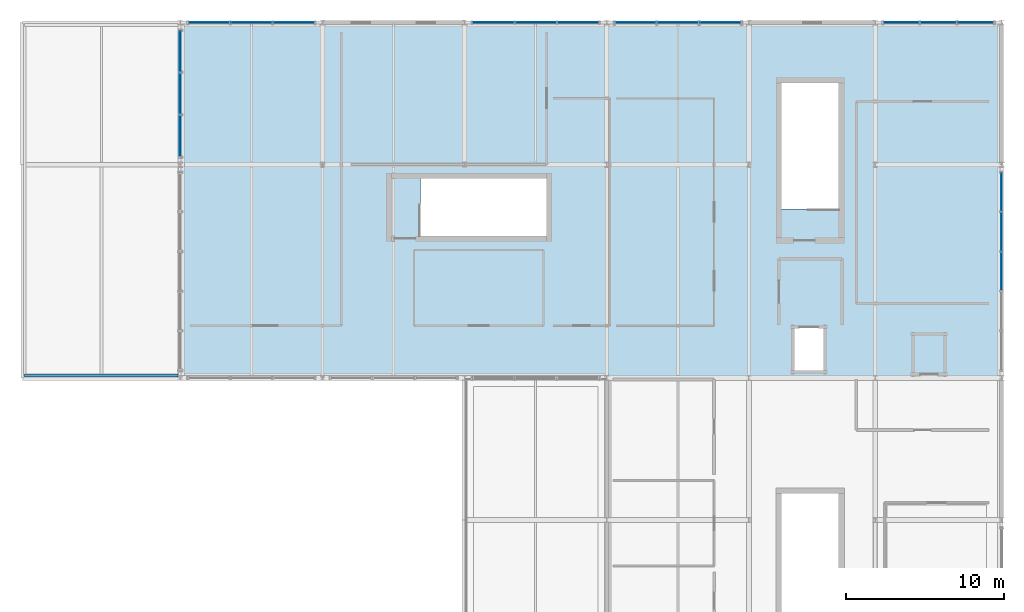
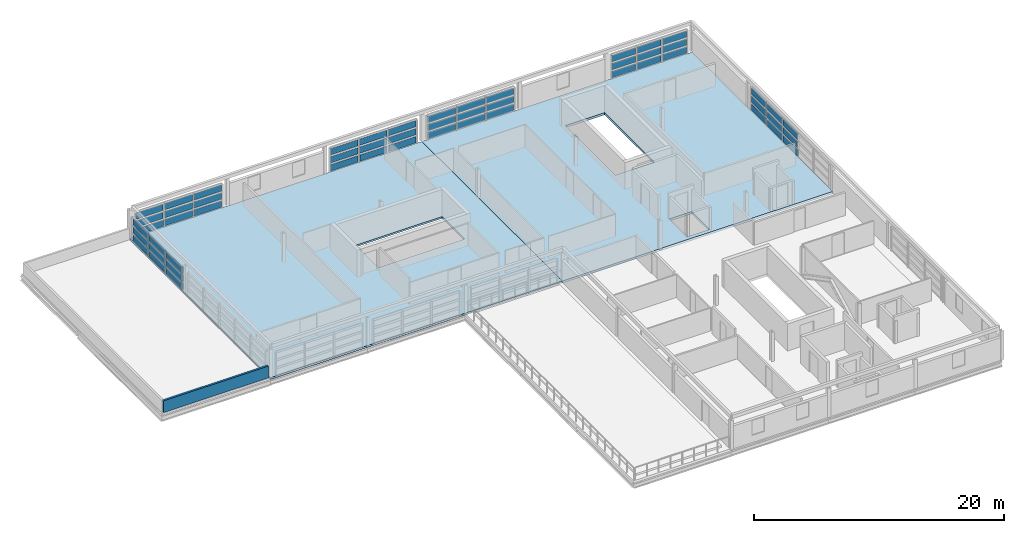
# One storey, part 23 of 27: 54 plates, 2 slabs, 1 wall, 6 elements without a shape of their own.
"""IFC4 building model written with IfcOpenShell, lengths in metres."""

from ifc_helpers import new_model, si_unit, direction, frame, frame_2d, origin, origin_2d, place, context, subcontext, project, spatial, polyline, rectangle, outline, extrude, material, layer, layer_set, type_object, element, aggregate, save


model = new_model("IFC4")

# Units and contexts
model_context = context("Model", 3, precision=1e-05, world=origin(), true_north=direction((0.0, 1.0)))
body_context = subcontext(model_context, "Body", "Model", "MODEL_VIEW")
ifc_project = project(units=[si_unit("LENGTHUNIT", "METRE"), si_unit("AREAUNIT", "SQUARE_METRE"), si_unit("VOLUMEUNIT", "CUBIC_METRE"), si_unit("PLANEANGLEUNIT", "RADIAN"), si_unit("MASSUNIT", "GRAM", prefix="KILO")], contexts=[model_context])

# Site, building, storey
site_placement = place(None, origin())
site = spatial("IfcSite", under=ifc_project, at=site_placement, CompositionType="ELEMENT")
building_placement = place(site_placement, origin())
building = spatial("IfcBuilding", under=site, at=building_placement, Name="Chuanluo Vaults Station", CompositionType="ELEMENT")
storey_placement = place(building_placement, frame((0.0, 0.0, 20.800048828125)))
storey = spatial("IfcBuildingStorey", under=building, at=storey_placement, Name="L05", CompositionType="ELEMENT", Elevation=20.800048828125)

# Curtain wall, plates
ifc_material_1 = material(Name="Anodised aluminium 6063-T6", Category="aluminium")
curtain_wall_type_1 = type_object("IfcCurtainWallType", Name="CW-SYS-27", PredefinedType="NOTDEFINED", material=ifc_material_1)
curtain_wall_1_placement = place(storey_placement, origin())
curtain_wall_1 = element("IfcCurtainWall", 1, at=curtain_wall_1_placement, inside=storey, type_object=curtain_wall_type_1, Name="Operations L05 facade CW", PredefinedType="NOTDEFINED")
ifc_material_2 = material(Name="Ceramic-fritted spandrel glass", Category="glass")
ifc_layer_1 = layer(ifc_material_2, 0.06396484375)
ifc_layer_set_1 = layer_set([ifc_layer_1], Name="Ceramic-fritted spandrel glass")
plate_type_1 = type_object("IfcPlateType", Name="CWP-SPN-42", PredefinedType="SHEET", material=ifc_layer_set_1)
plate_1_placement = place(storey_placement, frame((137.816650390625, 126.0, 0.080078125), z_axis=(0.0, 0.0, 1.0), x_axis=(1.0, 0.0, 0.0)))
plate_1 = element("IfcPlate", 2, at=plate_1_placement, type_object=plate_type_1, Name="Operations L05 facade CW glazed panel 1.1", PredefinedType="SHEET", context=body_context, shape_type="SweptSolid", body=[
    extrude(rectangle(XDim=2.523193359375, YDim=0.06396484375, at=origin_2d()), origin(), (0.0, 0.0, 1.0), 0.623291015625),
])
plate_2_placement = place(storey_placement, frame((140.5, 126.0, 0.080078125), z_axis=(0.0, 0.0, 1.0), x_axis=(1.0, 0.0, 0.0)))
plate_2 = element("IfcPlate", 3, at=plate_2_placement, type_object=plate_type_1, Name="Operations L05 facade CW glazed panel 2.1", PredefinedType="SHEET", context=body_context, shape_type="SweptSolid", body=[
    extrude(rectangle(XDim=2.523193359375, YDim=0.06396484375, at=origin_2d()), origin(), (0.0, 0.0, 1.0), 0.623291015625),
])
plate_3_placement = place(storey_placement, frame((143.183349609375, 126.0, 0.080078125), z_axis=(0.0, 0.0, 1.0), x_axis=(1.0, 0.0, 0.0)))
plate_3 = element("IfcPlate", 4, at=plate_3_placement, type_object=plate_type_1, Name="Operations L05 facade CW glazed panel 3.1", PredefinedType="SHEET", context=body_context, shape_type="SweptSolid", body=[
    extrude(rectangle(XDim=2.523193359375, YDim=0.06396484375, at=origin_2d()), origin(), (0.0, 0.0, 1.0), 0.623291015625),
])

ifc_material_3 = material(Name="Anodised aluminium 6063-T6", Category="aluminium")
curtain_wall_type_2 = type_object("IfcCurtainWallType", Name="CW-SYS-01", PredefinedType="NOTDEFINED", material=ifc_material_3)
curtain_wall_2_placement = place(storey_placement, origin())
curtain_wall_2 = element("IfcCurtainWall", 5, at=curtain_wall_2_placement, inside=storey, type_object=curtain_wall_type_2, Name="Operations L05 facade CW", PredefinedType="NOTDEFINED")
plate_4_placement = place(storey_placement, frame((164.816650390625, 126.0, 0.080078125), z_axis=(0.0, 0.0, 1.0), x_axis=(1.0, 0.0, 0.0)))
plate_4 = element("IfcPlate", 6, at=plate_4_placement, type_object=plate_type_1, Name="Operations L05 facade CW glazed panel 1.1", PredefinedType="SHEET", context=body_context, shape_type="SweptSolid", body=[
    extrude(rectangle(XDim=2.523193359375, YDim=0.06396484375, at=origin_2d()), origin(), (0.0, 0.0, 1.0), 0.623291015625),
])
plate_5_placement = place(storey_placement, frame((167.5, 126.0, 0.080078125), z_axis=(0.0, 0.0, 1.0), x_axis=(1.0, 0.0, 0.0)))
plate_5 = element("IfcPlate", 7, at=plate_5_placement, type_object=plate_type_1, Name="Operations L05 facade CW glazed panel 2.1", PredefinedType="SHEET", context=body_context, shape_type="SweptSolid", body=[
    extrude(rectangle(XDim=2.523193359375, YDim=0.06396484375, at=origin_2d()), origin(), (0.0, 0.0, 1.0), 0.623291015625),
])
plate_6_placement = place(storey_placement, frame((170.183349609375, 126.0, 0.080078125), z_axis=(0.0, 0.0, 1.0), x_axis=(1.0, 0.0, 0.0)))
plate_6 = element("IfcPlate", 8, at=plate_6_placement, type_object=plate_type_1, Name="Operations L05 facade CW glazed panel 3.1", PredefinedType="SHEET", context=body_context, shape_type="SweptSolid", body=[
    extrude(rectangle(XDim=2.523193359375, YDim=0.06396484375, at=origin_2d()), origin(), (0.0, 0.0, 1.0), 0.623291015625),
])

ifc_material_4 = material(Name="Anodised aluminium 6063-T6", Category="aluminium")
curtain_wall_type_3 = type_object("IfcCurtainWallType", Name="CW-SYS-26", PredefinedType="NOTDEFINED", material=ifc_material_4)
curtain_wall_3_placement = place(storey_placement, origin())
curtain_wall_3 = element("IfcCurtainWall", 9, at=curtain_wall_3_placement, inside=storey, type_object=curtain_wall_type_3, Name="Operations L05 facade CW", PredefinedType="NOTDEFINED")
ifc_material_5 = material(Name="Ceramic-fritted spandrel glass", Category="glass")
ifc_layer_2 = layer(ifc_material_5, 0.070068359375)
ifc_layer_set_2 = layer_set([ifc_layer_2], Name="Ceramic-fritted spandrel glass")
plate_type_2 = type_object("IfcPlateType", Name="CWP-SPN-50", PredefinedType="SHEET", material=ifc_layer_set_2)
plate_7_placement = place(storey_placement, frame((136.0, 118.816650390625, 0.080078125), z_axis=(0.0, 0.0, 1.0), x_axis=(0.0, 1.0, 0.0)))
plate_7 = element("IfcPlate", 10, at=plate_7_placement, type_object=plate_type_2, Name="Operations L05 facade CW glazed panel 1.1", PredefinedType="SHEET", context=body_context, shape_type="SweptSolid", body=[
    extrude(rectangle(XDim=2.523193359375, YDim=0.070068359375, at=origin_2d()), origin(), (0.0, 0.0, 1.0), 0.623291015625),
])
plate_8_placement = place(storey_placement, frame((136.0, 121.5, 0.080078125), z_axis=(0.0, 0.0, 1.0), x_axis=(0.0, 1.0, 0.0)))
plate_8 = element("IfcPlate", 11, at=plate_8_placement, type_object=plate_type_2, Name="Operations L05 facade CW glazed panel 2.1", PredefinedType="SHEET", context=body_context, shape_type="SweptSolid", body=[
    extrude(rectangle(XDim=2.523193359375, YDim=0.070068359375, at=origin_2d()), origin(), (0.0, 0.0, 1.0), 0.623291015625),
])
plate_9_placement = place(storey_placement, frame((136.0, 124.183349609375, 0.080078125), z_axis=(0.0, 0.0, 1.0), x_axis=(0.0, 1.0, 0.0)))
plate_9 = element("IfcPlate", 12, at=plate_9_placement, type_object=plate_type_2, Name="Operations L05 facade CW glazed panel 3.1", PredefinedType="SHEET", context=body_context, shape_type="SweptSolid", body=[
    extrude(rectangle(XDim=2.523193359375, YDim=0.070068359375, at=origin_2d()), origin(), (0.0, 0.0, 1.0), 0.623291015625),
])

ifc_material_6 = material(Name="Anodised aluminium 6063-T6", Category="aluminium")
curtain_wall_type_4 = type_object("IfcCurtainWallType", Name="CW-SYS-28", PredefinedType="NOTDEFINED", material=ifc_material_6)
curtain_wall_4_placement = place(storey_placement, origin())
curtain_wall_4 = element("IfcCurtainWall", 13, at=curtain_wall_4_placement, inside=storey, type_object=curtain_wall_type_4, Name="Operations L05 facade CW", PredefinedType="NOTDEFINED")
plate_10_placement = place(storey_placement, frame((155.816650390625, 126.0, 0.080078125), z_axis=(0.0, 0.0, 1.0), x_axis=(1.0, 0.0, 0.0)))
plate_10 = element("IfcPlate", 14, at=plate_10_placement, type_object=plate_type_2, Name="Operations L05 facade CW glazed panel 1.1", PredefinedType="SHEET", context=body_context, shape_type="SweptSolid", body=[
    extrude(rectangle(XDim=2.523193359375, YDim=0.070068359375, at=origin_2d()), origin(), (0.0, 0.0, 1.0), 0.623291015625),
])
plate_11_placement = place(storey_placement, frame((158.5, 126.0, 0.080078125), z_axis=(0.0, 0.0, 1.0), x_axis=(1.0, 0.0, 0.0)))
plate_11 = element("IfcPlate", 15, at=plate_11_placement, type_object=plate_type_2, Name="Operations L05 facade CW glazed panel 2.1", PredefinedType="SHEET", context=body_context, shape_type="SweptSolid", body=[
    extrude(rectangle(XDim=2.523193359375, YDim=0.070068359375, at=origin_2d()), origin(), (0.0, 0.0, 1.0), 0.623291015625),
])
plate_12_placement = place(storey_placement, frame((161.183349609375, 126.0, 0.080078125), z_axis=(0.0, 0.0, 1.0), x_axis=(1.0, 0.0, 0.0)))
plate_12 = element("IfcPlate", 16, at=plate_12_placement, type_object=plate_type_2, Name="Operations L05 facade CW glazed panel 3.1", PredefinedType="SHEET", context=body_context, shape_type="SweptSolid", body=[
    extrude(rectangle(XDim=2.523193359375, YDim=0.070068359375, at=origin_2d()), origin(), (0.0, 0.0, 1.0), 0.623291015625),
])

ifc_material_7 = material(Name="Anodised aluminium 6063-T6", Category="aluminium")
curtain_wall_type_5 = type_object("IfcCurtainWallType", Name="CW-SYS-02", PredefinedType="NOTDEFINED", material=ifc_material_7)
curtain_wall_5_placement = place(storey_placement, origin())
curtain_wall_5 = element("IfcCurtainWall", 17, at=curtain_wall_5_placement, inside=storey, type_object=curtain_wall_type_5, Name="Operations L05 facade CW", PredefinedType="NOTDEFINED")
plate_13_placement = place(storey_placement, frame((181.64990234375, 126.0, 0.080078125), z_axis=(0.0, 0.0, 1.0), x_axis=(1.0, 0.0, 0.0)))
plate_13 = element("IfcPlate", 18, at=plate_13_placement, type_object=plate_type_2, Name="Operations L05 facade CW glazed panel 1.1", PredefinedType="SHEET", context=body_context, shape_type="SweptSolid", body=[
    extrude(rectangle(XDim=2.18994140625, YDim=0.070068359375, at=origin_2d()), origin(), (0.0, 0.0, 1.0), 0.623291015625),
])
plate_14_placement = place(storey_placement, frame((184.0, 126.0, 0.080078125), z_axis=(0.0, 0.0, 1.0), x_axis=(1.0, 0.0, 0.0)))
plate_14 = element("IfcPlate", 19, at=plate_14_placement, type_object=plate_type_2, Name="Operations L05 facade CW glazed panel 2.1", PredefinedType="SHEET", context=body_context, shape_type="SweptSolid", body=[
    extrude(rectangle(XDim=2.18994140625, YDim=0.070068359375, at=origin_2d()), origin(), (0.0, 0.0, 1.0), 0.623291015625),
])
plate_15_placement = place(storey_placement, frame((186.35009765625, 126.0, 0.080078125), z_axis=(0.0, 0.0, 1.0), x_axis=(1.0, 0.0, 0.0)))
plate_15 = element("IfcPlate", 20, at=plate_15_placement, type_object=plate_type_2, Name="Operations L05 facade CW glazed panel 3.1", PredefinedType="SHEET", context=body_context, shape_type="SweptSolid", body=[
    extrude(rectangle(XDim=2.18994140625, YDim=0.070068359375, at=origin_2d()), origin(), (0.0, 0.0, 1.0), 0.623291015625),
])

ifc_material_8 = material(Name="Anodised aluminium 6063-T6", Category="aluminium")
curtain_wall_type_6 = type_object("IfcCurtainWallType", Name="CW-SYS-04", PredefinedType="NOTDEFINED", material=ifc_material_8)
curtain_wall_6_placement = place(storey_placement, origin())
curtain_wall_6 = element("IfcCurtainWall", 21, at=curtain_wall_6_placement, inside=storey, type_object=curtain_wall_type_6, Name="Operations L05 facade CW", PredefinedType="NOTDEFINED")
plate_16_placement = place(storey_placement, frame((188.0, 115.27001953125, 0.080078125), z_axis=(0.0, 0.0, 1.0), x_axis=(0.0, -1.0, 0.0)))
plate_16 = element("IfcPlate", 22, at=plate_16_placement, type_object=plate_type_2, Name="Operations L05 facade CW glazed panel 1.1", PredefinedType="SHEET", context=body_context, shape_type="SweptSolid", body=[
    extrude(rectangle(XDim=2.35009765625, YDim=0.070068359375, at=origin_2d()), origin(), (0.0, 0.0, 1.0), 0.623291015625),
])
plate_17_placement = place(storey_placement, frame((188.0, 112.760009765625, 0.080078125), z_axis=(0.0, 0.0, 1.0), x_axis=(0.0, -1.0, 0.0)))
plate_17 = element("IfcPlate", 23, at=plate_17_placement, type_object=plate_type_2, Name="Operations L05 facade CW glazed panel 2.1", PredefinedType="SHEET", context=body_context, shape_type="SweptSolid", body=[
    extrude(rectangle(XDim=2.35009765625, YDim=0.070068359375, at=origin_2d()), origin(), (0.0, 0.0, 1.0), 0.623291015625),
])
plate_18_placement = place(storey_placement, frame((188.0, 110.25, 0.080078125), z_axis=(0.0, 0.0, 1.0), x_axis=(0.0, -1.0, 0.0)))
plate_18 = element("IfcPlate", 24, at=plate_18_placement, type_object=plate_type_2, Name="Operations L05 facade CW glazed panel 3.1", PredefinedType="SHEET", context=body_context, shape_type="SweptSolid", body=[
    extrude(rectangle(XDim=2.35009765625, YDim=0.070068359375, at=origin_2d()), origin(), (0.0, 0.0, 1.0), 0.623291015625),
])

# Plate
ifc_material_9 = material(Name="Double-silver Low-E laminated glass", Category="glass")
ifc_layer_3 = layer(ifc_material_9, 0.0439453125)
ifc_layer_set_3 = layer_set([ifc_layer_3], Name="Double-silver Low-E laminated glass")
plate_type_3 = type_object("IfcPlateType", Name="CWP-VIS-28", PredefinedType="CURTAIN_PANEL", material=ifc_layer_set_3)
plate_19_placement = place(storey_placement, frame((155.816650390625, 126.0, 0.86328125), z_axis=(0.0, 0.0, 1.0), x_axis=(1.0, 0.0, 0.0)))
plate_19 = element("IfcPlate", 25, at=plate_19_placement, type_object=plate_type_3, Name="Operations L05 facade CW glazed panel 1.2", PredefinedType="CURTAIN_PANEL", context=body_context, shape_type="SweptSolid", body=[
    extrude(rectangle(XDim=2.523193359375, YDim=0.0439453125, at=origin_2d()), origin(), (0.0, 0.0, 1.0), 0.623291015625),
])

plate_20_placement = place(storey_placement, frame((155.816650390625, 126.0, 1.646484375), z_axis=(0.0, 0.0, 1.0), x_axis=(1.0, 0.0, 0.0)))
plate_20 = element("IfcPlate", 26, at=plate_20_placement, type_object=plate_type_3, Name="Operations L05 facade CW glazed panel 1.3", PredefinedType="CURTAIN_PANEL", context=body_context, shape_type="SweptSolid", body=[
    extrude(rectangle(XDim=2.523193359375, YDim=0.0439453125, at=origin_2d()), origin(), (0.0, 0.0, 1.0), 0.623291015625),
])

plate_21_placement = place(storey_placement, frame((158.5, 126.0, 0.86328125), z_axis=(0.0, 0.0, 1.0), x_axis=(1.0, 0.0, 0.0)))
plate_21 = element("IfcPlate", 27, at=plate_21_placement, type_object=plate_type_3, Name="Operations L05 facade CW glazed panel 2.2", PredefinedType="CURTAIN_PANEL", context=body_context, shape_type="SweptSolid", body=[
    extrude(rectangle(XDim=2.523193359375, YDim=0.0439453125, at=origin_2d()), origin(), (0.0, 0.0, 1.0), 0.623291015625),
])

plate_22_placement = place(storey_placement, frame((158.5, 126.0, 1.646484375), z_axis=(0.0, 0.0, 1.0), x_axis=(1.0, 0.0, 0.0)))
plate_22 = element("IfcPlate", 28, at=plate_22_placement, type_object=plate_type_3, Name="Operations L05 facade CW glazed panel 2.3", PredefinedType="CURTAIN_PANEL", context=body_context, shape_type="SweptSolid", body=[
    extrude(rectangle(XDim=2.523193359375, YDim=0.0439453125, at=origin_2d()), origin(), (0.0, 0.0, 1.0), 0.623291015625),
])

plate_23_placement = place(storey_placement, frame((161.183349609375, 126.0, 0.86328125), z_axis=(0.0, 0.0, 1.0), x_axis=(1.0, 0.0, 0.0)))
plate_23 = element("IfcPlate", 29, at=plate_23_placement, type_object=plate_type_3, Name="Operations L05 facade CW glazed panel 3.2", PredefinedType="CURTAIN_PANEL", context=body_context, shape_type="SweptSolid", body=[
    extrude(rectangle(XDim=2.523193359375, YDim=0.0439453125, at=origin_2d()), origin(), (0.0, 0.0, 1.0), 0.623291015625),
])

plate_24_placement = place(storey_placement, frame((161.183349609375, 126.0, 1.646484375), z_axis=(0.0, 0.0, 1.0), x_axis=(1.0, 0.0, 0.0)))
plate_24 = element("IfcPlate", 30, at=plate_24_placement, type_object=plate_type_3, Name="Operations L05 facade CW glazed panel 3.3", PredefinedType="CURTAIN_PANEL", context=body_context, shape_type="SweptSolid", body=[
    extrude(rectangle(XDim=2.523193359375, YDim=0.0439453125, at=origin_2d()), origin(), (0.0, 0.0, 1.0), 0.623291015625),
])

aggregate(curtain_wall_4, [plate_10, plate_19, plate_20, plate_11, plate_21, plate_22, plate_12, plate_23, plate_24])

plate_25_placement = place(storey_placement, frame((188.0, 115.27001953125, 0.86328125), z_axis=(0.0, 0.0, 1.0), x_axis=(0.0, -1.0, 0.0)))
plate_25 = element("IfcPlate", 31, at=plate_25_placement, type_object=plate_type_3, Name="Operations L05 facade CW glazed panel 1.2", PredefinedType="CURTAIN_PANEL", context=body_context, shape_type="SweptSolid", body=[
    extrude(rectangle(XDim=2.35009765625, YDim=0.0439453125, at=origin_2d()), origin(), (0.0, 0.0, 1.0), 0.623291015625),
])

plate_26_placement = place(storey_placement, frame((188.0, 115.27001953125, 1.646484375), z_axis=(0.0, 0.0, 1.0), x_axis=(0.0, -1.0, 0.0)))
plate_26 = element("IfcPlate", 32, at=plate_26_placement, type_object=plate_type_3, Name="Operations L05 facade CW glazed panel 1.3", PredefinedType="CURTAIN_PANEL", context=body_context, shape_type="SweptSolid", body=[
    extrude(rectangle(XDim=2.35009765625, YDim=0.0439453125, at=origin_2d()), origin(), (0.0, 0.0, 1.0), 0.623291015625),
])

plate_27_placement = place(storey_placement, frame((188.0, 112.760009765625, 0.86328125), z_axis=(0.0, 0.0, 1.0), x_axis=(0.0, -1.0, 0.0)))
plate_27 = element("IfcPlate", 33, at=plate_27_placement, type_object=plate_type_3, Name="Operations L05 facade CW glazed panel 2.2", PredefinedType="CURTAIN_PANEL", context=body_context, shape_type="SweptSolid", body=[
    extrude(rectangle(XDim=2.35009765625, YDim=0.0439453125, at=origin_2d()), origin(), (0.0, 0.0, 1.0), 0.623291015625),
])

plate_28_placement = place(storey_placement, frame((188.0, 112.760009765625, 1.646484375), z_axis=(0.0, 0.0, 1.0), x_axis=(0.0, -1.0, 0.0)))
plate_28 = element("IfcPlate", 34, at=plate_28_placement, type_object=plate_type_3, Name="Operations L05 facade CW glazed panel 2.3", PredefinedType="CURTAIN_PANEL", context=body_context, shape_type="SweptSolid", body=[
    extrude(rectangle(XDim=2.35009765625, YDim=0.0439453125, at=origin_2d()), origin(), (0.0, 0.0, 1.0), 0.623291015625),
])

plate_29_placement = place(storey_placement, frame((188.0, 110.25, 0.86328125), z_axis=(0.0, 0.0, 1.0), x_axis=(0.0, -1.0, 0.0)))
plate_29 = element("IfcPlate", 35, at=plate_29_placement, type_object=plate_type_3, Name="Operations L05 facade CW glazed panel 3.2", PredefinedType="CURTAIN_PANEL", context=body_context, shape_type="SweptSolid", body=[
    extrude(rectangle(XDim=2.35009765625, YDim=0.0439453125, at=origin_2d()), origin(), (0.0, 0.0, 1.0), 0.623291015625),
])

plate_30_placement = place(storey_placement, frame((188.0, 110.25, 1.646484375), z_axis=(0.0, 0.0, 1.0), x_axis=(0.0, -1.0, 0.0)))
plate_30 = element("IfcPlate", 36, at=plate_30_placement, type_object=plate_type_3, Name="Operations L05 facade CW glazed panel 3.3", PredefinedType="CURTAIN_PANEL", context=body_context, shape_type="SweptSolid", body=[
    extrude(rectangle(XDim=2.35009765625, YDim=0.0439453125, at=origin_2d()), origin(), (0.0, 0.0, 1.0), 0.623291015625),
])

aggregate(curtain_wall_6, [plate_16, plate_25, plate_26, plate_17, plate_27, plate_28, plate_18, plate_29, plate_30])

ifc_material_10 = material(Name="Double-silver Low-E laminated glass", Category="glass")
ifc_layer_4 = layer(ifc_material_10, 0.048095703125)
ifc_layer_set_4 = layer_set([ifc_layer_4], Name="Double-silver Low-E laminated glass")
plate_type_4 = type_object("IfcPlateType", Name="CWP-VIS-32", PredefinedType="CURTAIN_PANEL", material=ifc_layer_set_4)
plate_31_placement = place(storey_placement, frame((137.816650390625, 126.0, 0.86328125), z_axis=(0.0, 0.0, 1.0), x_axis=(1.0, 0.0, 0.0)))
plate_31 = element("IfcPlate", 37, at=plate_31_placement, type_object=plate_type_4, Name="Operations L05 facade CW glazed panel 1.2", PredefinedType="CURTAIN_PANEL", context=body_context, shape_type="SweptSolid", body=[
    extrude(rectangle(XDim=2.523193359375, YDim=0.048095703125, at=origin_2d()), origin(), (0.0, 0.0, 1.0), 0.623291015625),
])

plate_32_placement = place(storey_placement, frame((137.816650390625, 126.0, 1.646484375), z_axis=(0.0, 0.0, 1.0), x_axis=(1.0, 0.0, 0.0)))
plate_32 = element("IfcPlate", 38, at=plate_32_placement, type_object=plate_type_4, Name="Operations L05 facade CW glazed panel 1.3", PredefinedType="CURTAIN_PANEL", context=body_context, shape_type="SweptSolid", body=[
    extrude(rectangle(XDim=2.523193359375, YDim=0.048095703125, at=origin_2d()), origin(), (0.0, 0.0, 1.0), 0.623291015625),
])

plate_33_placement = place(storey_placement, frame((140.5, 126.0, 0.86328125), z_axis=(0.0, 0.0, 1.0), x_axis=(1.0, 0.0, 0.0)))
plate_33 = element("IfcPlate", 39, at=plate_33_placement, type_object=plate_type_4, Name="Operations L05 facade CW glazed panel 2.2", PredefinedType="CURTAIN_PANEL", context=body_context, shape_type="SweptSolid", body=[
    extrude(rectangle(XDim=2.523193359375, YDim=0.048095703125, at=origin_2d()), origin(), (0.0, 0.0, 1.0), 0.623291015625),
])

plate_34_placement = place(storey_placement, frame((140.5, 126.0, 1.646484375), z_axis=(0.0, 0.0, 1.0), x_axis=(1.0, 0.0, 0.0)))
plate_34 = element("IfcPlate", 40, at=plate_34_placement, type_object=plate_type_4, Name="Operations L05 facade CW glazed panel 2.3", PredefinedType="CURTAIN_PANEL", context=body_context, shape_type="SweptSolid", body=[
    extrude(rectangle(XDim=2.523193359375, YDim=0.048095703125, at=origin_2d()), origin(), (0.0, 0.0, 1.0), 0.623291015625),
])

plate_35_placement = place(storey_placement, frame((143.183349609375, 126.0, 0.86328125), z_axis=(0.0, 0.0, 1.0), x_axis=(1.0, 0.0, 0.0)))
plate_35 = element("IfcPlate", 41, at=plate_35_placement, type_object=plate_type_4, Name="Operations L05 facade CW glazed panel 3.2", PredefinedType="CURTAIN_PANEL", context=body_context, shape_type="SweptSolid", body=[
    extrude(rectangle(XDim=2.523193359375, YDim=0.048095703125, at=origin_2d()), origin(), (0.0, 0.0, 1.0), 0.623291015625),
])

plate_36_placement = place(storey_placement, frame((143.183349609375, 126.0, 1.646484375), z_axis=(0.0, 0.0, 1.0), x_axis=(1.0, 0.0, 0.0)))
plate_36 = element("IfcPlate", 42, at=plate_36_placement, type_object=plate_type_4, Name="Operations L05 facade CW glazed panel 3.3", PredefinedType="CURTAIN_PANEL", context=body_context, shape_type="SweptSolid", body=[
    extrude(rectangle(XDim=2.523193359375, YDim=0.048095703125, at=origin_2d()), origin(), (0.0, 0.0, 1.0), 0.623291015625),
])

aggregate(curtain_wall_1, [plate_1, plate_31, plate_32, plate_2, plate_33, plate_34, plate_3, plate_35, plate_36])

ifc_material_11 = material(Name="Double-silver Low-E laminated glass", Category="glass")
ifc_layer_5 = layer(ifc_material_11, 0.053955078125)
ifc_layer_set_5 = layer_set([ifc_layer_5], Name="Double-silver Low-E laminated glass")
plate_type_5 = type_object("IfcPlateType", Name="CWP-VIS-36", PredefinedType="CURTAIN_PANEL", material=ifc_layer_set_5)
plate_37_placement = place(storey_placement, frame((136.0, 118.816650390625, 0.86328125), z_axis=(0.0, 0.0, 1.0), x_axis=(0.0, 1.0, 0.0)))
plate_37 = element("IfcPlate", 43, at=plate_37_placement, type_object=plate_type_5, Name="Operations L05 facade CW glazed panel 1.2", PredefinedType="CURTAIN_PANEL", context=body_context, shape_type="SweptSolid", body=[
    extrude(rectangle(XDim=2.523193359375, YDim=0.053955078125, at=origin_2d()), origin(), (0.0, 0.0, 1.0), 0.623291015625),
])

plate_38_placement = place(storey_placement, frame((136.0, 118.816650390625, 1.646484375), z_axis=(0.0, 0.0, 1.0), x_axis=(0.0, 1.0, 0.0)))
plate_38 = element("IfcPlate", 44, at=plate_38_placement, type_object=plate_type_5, Name="Operations L05 facade CW glazed panel 1.3", PredefinedType="CURTAIN_PANEL", context=body_context, shape_type="SweptSolid", body=[
    extrude(rectangle(XDim=2.523193359375, YDim=0.053955078125, at=origin_2d()), origin(), (0.0, 0.0, 1.0), 0.623291015625),
])

plate_39_placement = place(storey_placement, frame((136.0, 121.5, 0.86328125), z_axis=(0.0, 0.0, 1.0), x_axis=(0.0, 1.0, 0.0)))
plate_39 = element("IfcPlate", 45, at=plate_39_placement, type_object=plate_type_5, Name="Operations L05 facade CW glazed panel 2.2", PredefinedType="CURTAIN_PANEL", context=body_context, shape_type="SweptSolid", body=[
    extrude(rectangle(XDim=2.523193359375, YDim=0.053955078125, at=origin_2d()), origin(), (0.0, 0.0, 1.0), 0.623291015625),
])

plate_40_placement = place(storey_placement, frame((136.0, 121.5, 1.646484375), z_axis=(0.0, 0.0, 1.0), x_axis=(0.0, 1.0, 0.0)))
plate_40 = element("IfcPlate", 46, at=plate_40_placement, type_object=plate_type_5, Name="Operations L05 facade CW glazed panel 2.3", PredefinedType="CURTAIN_PANEL", context=body_context, shape_type="SweptSolid", body=[
    extrude(rectangle(XDim=2.523193359375, YDim=0.053955078125, at=origin_2d()), origin(), (0.0, 0.0, 1.0), 0.623291015625),
])

plate_41_placement = place(storey_placement, frame((136.0, 124.183349609375, 0.86328125), z_axis=(0.0, 0.0, 1.0), x_axis=(0.0, 1.0, 0.0)))
plate_41 = element("IfcPlate", 47, at=plate_41_placement, type_object=plate_type_5, Name="Operations L05 facade CW glazed panel 3.2", PredefinedType="CURTAIN_PANEL", context=body_context, shape_type="SweptSolid", body=[
    extrude(rectangle(XDim=2.523193359375, YDim=0.053955078125, at=origin_2d()), origin(), (0.0, 0.0, 1.0), 0.623291015625),
])

plate_42_placement = place(storey_placement, frame((136.0, 124.183349609375, 1.646484375), z_axis=(0.0, 0.0, 1.0), x_axis=(0.0, 1.0, 0.0)))
plate_42 = element("IfcPlate", 48, at=plate_42_placement, type_object=plate_type_5, Name="Operations L05 facade CW glazed panel 3.3", PredefinedType="CURTAIN_PANEL", context=body_context, shape_type="SweptSolid", body=[
    extrude(rectangle(XDim=2.523193359375, YDim=0.053955078125, at=origin_2d()), origin(), (0.0, 0.0, 1.0), 0.623291015625),
])

aggregate(curtain_wall_3, [plate_7, plate_37, plate_38, plate_8, plate_39, plate_40, plate_9, plate_41, plate_42])

plate_43_placement = place(storey_placement, frame((181.64990234375, 126.0, 0.86328125), z_axis=(0.0, 0.0, 1.0), x_axis=(1.0, 0.0, 0.0)))
plate_43 = element("IfcPlate", 49, at=plate_43_placement, type_object=plate_type_5, Name="Operations L05 facade CW glazed panel 1.2", PredefinedType="CURTAIN_PANEL", context=body_context, shape_type="SweptSolid", body=[
    extrude(rectangle(XDim=2.18994140625, YDim=0.053955078125, at=origin_2d()), origin(), (0.0, 0.0, 1.0), 0.623291015625),
])

plate_44_placement = place(storey_placement, frame((181.64990234375, 126.0, 1.646484375), z_axis=(0.0, 0.0, 1.0), x_axis=(1.0, 0.0, 0.0)))
plate_44 = element("IfcPlate", 50, at=plate_44_placement, type_object=plate_type_5, Name="Operations L05 facade CW glazed panel 1.3", PredefinedType="CURTAIN_PANEL", context=body_context, shape_type="SweptSolid", body=[
    extrude(rectangle(XDim=2.18994140625, YDim=0.053955078125, at=origin_2d()), origin(), (0.0, 0.0, 1.0), 0.623291015625),
])

plate_45_placement = place(storey_placement, frame((184.0, 126.0, 0.86328125), z_axis=(0.0, 0.0, 1.0), x_axis=(1.0, 0.0, 0.0)))
plate_45 = element("IfcPlate", 51, at=plate_45_placement, type_object=plate_type_5, Name="Operations L05 facade CW glazed panel 2.2", PredefinedType="CURTAIN_PANEL", context=body_context, shape_type="SweptSolid", body=[
    extrude(rectangle(XDim=2.18994140625, YDim=0.053955078125, at=origin_2d()), origin(), (0.0, 0.0, 1.0), 0.623291015625),
])

plate_46_placement = place(storey_placement, frame((184.0, 126.0, 1.646484375), z_axis=(0.0, 0.0, 1.0), x_axis=(1.0, 0.0, 0.0)))
plate_46 = element("IfcPlate", 52, at=plate_46_placement, type_object=plate_type_5, Name="Operations L05 facade CW glazed panel 2.3", PredefinedType="CURTAIN_PANEL", context=body_context, shape_type="SweptSolid", body=[
    extrude(rectangle(XDim=2.18994140625, YDim=0.053955078125, at=origin_2d()), origin(), (0.0, 0.0, 1.0), 0.623291015625),
])

plate_47_placement = place(storey_placement, frame((186.35009765625, 126.0, 0.86328125), z_axis=(0.0, 0.0, 1.0), x_axis=(1.0, 0.0, 0.0)))
plate_47 = element("IfcPlate", 53, at=plate_47_placement, type_object=plate_type_5, Name="Operations L05 facade CW glazed panel 3.2", PredefinedType="CURTAIN_PANEL", context=body_context, shape_type="SweptSolid", body=[
    extrude(rectangle(XDim=2.18994140625, YDim=0.053955078125, at=origin_2d()), origin(), (0.0, 0.0, 1.0), 0.623291015625),
])

plate_48_placement = place(storey_placement, frame((186.35009765625, 126.0, 1.646484375), z_axis=(0.0, 0.0, 1.0), x_axis=(1.0, 0.0, 0.0)))
plate_48 = element("IfcPlate", 54, at=plate_48_placement, type_object=plate_type_5, Name="Operations L05 facade CW glazed panel 3.3", PredefinedType="CURTAIN_PANEL", context=body_context, shape_type="SweptSolid", body=[
    extrude(rectangle(XDim=2.18994140625, YDim=0.053955078125, at=origin_2d()), origin(), (0.0, 0.0, 1.0), 0.623291015625),
])

aggregate(curtain_wall_5, [plate_13, plate_43, plate_44, plate_14, plate_45, plate_46, plate_15, plate_47, plate_48])

ifc_material_12 = material(Name="Double-silver Low-E laminated glass", Category="glass")
ifc_layer_6 = layer(ifc_material_12, 0.05810546875)
ifc_layer_set_6 = layer_set([ifc_layer_6], Name="Double-silver Low-E laminated glass")
plate_type_6 = type_object("IfcPlateType", Name="CWP-VIS-38", PredefinedType="CURTAIN_PANEL", material=ifc_layer_set_6)
plate_49_placement = place(storey_placement, frame((164.816650390625, 126.0, 0.86328125), z_axis=(0.0, 0.0, 1.0), x_axis=(1.0, 0.0, 0.0)))
plate_49 = element("IfcPlate", 55, at=plate_49_placement, type_object=plate_type_6, Name="Operations L05 facade CW glazed panel 1.2", PredefinedType="CURTAIN_PANEL", context=body_context, shape_type="SweptSolid", body=[
    extrude(rectangle(XDim=2.523193359375, YDim=0.05810546875, at=origin_2d()), origin(), (0.0, 0.0, 1.0), 0.623291015625),
])

plate_50_placement = place(storey_placement, frame((164.816650390625, 126.0, 1.646484375), z_axis=(0.0, 0.0, 1.0), x_axis=(1.0, 0.0, 0.0)))
plate_50 = element("IfcPlate", 56, at=plate_50_placement, type_object=plate_type_6, Name="Operations L05 facade CW glazed panel 1.3", PredefinedType="CURTAIN_PANEL", context=body_context, shape_type="SweptSolid", body=[
    extrude(rectangle(XDim=2.523193359375, YDim=0.05810546875, at=origin_2d()), origin(), (0.0, 0.0, 1.0), 0.623291015625),
])

plate_51_placement = place(storey_placement, frame((167.5, 126.0, 0.86328125), z_axis=(0.0, 0.0, 1.0), x_axis=(1.0, 0.0, 0.0)))
plate_51 = element("IfcPlate", 57, at=plate_51_placement, type_object=plate_type_6, Name="Operations L05 facade CW glazed panel 2.2", PredefinedType="CURTAIN_PANEL", context=body_context, shape_type="SweptSolid", body=[
    extrude(rectangle(XDim=2.523193359375, YDim=0.05810546875, at=origin_2d()), origin(), (0.0, 0.0, 1.0), 0.623291015625),
])

plate_52_placement = place(storey_placement, frame((167.5, 126.0, 1.646484375), z_axis=(0.0, 0.0, 1.0), x_axis=(1.0, 0.0, 0.0)))
plate_52 = element("IfcPlate", 58, at=plate_52_placement, type_object=plate_type_6, Name="Operations L05 facade CW glazed panel 2.3", PredefinedType="CURTAIN_PANEL", context=body_context, shape_type="SweptSolid", body=[
    extrude(rectangle(XDim=2.523193359375, YDim=0.05810546875, at=origin_2d()), origin(), (0.0, 0.0, 1.0), 0.623291015625),
])

plate_53_placement = place(storey_placement, frame((170.183349609375, 126.0, 0.86328125), z_axis=(0.0, 0.0, 1.0), x_axis=(1.0, 0.0, 0.0)))
plate_53 = element("IfcPlate", 59, at=plate_53_placement, type_object=plate_type_6, Name="Operations L05 facade CW glazed panel 3.2", PredefinedType="CURTAIN_PANEL", context=body_context, shape_type="SweptSolid", body=[
    extrude(rectangle(XDim=2.523193359375, YDim=0.05810546875, at=origin_2d()), origin(), (0.0, 0.0, 1.0), 0.623291015625),
])

plate_54_placement = place(storey_placement, frame((170.183349609375, 126.0, 1.646484375), z_axis=(0.0, 0.0, 1.0), x_axis=(1.0, 0.0, 0.0)))
plate_54 = element("IfcPlate", 60, at=plate_54_placement, type_object=plate_type_6, Name="Operations L05 facade CW glazed panel 3.3", PredefinedType="CURTAIN_PANEL", context=body_context, shape_type="SweptSolid", body=[
    extrude(rectangle(XDim=2.523193359375, YDim=0.05810546875, at=origin_2d()), origin(), (0.0, 0.0, 1.0), 0.623291015625),
])

aggregate(curtain_wall_2, [plate_4, plate_49, plate_50, plate_5, plate_51, plate_52, plate_6, plate_53, plate_54])

# Slabs
ifc_material_13 = material(Name="Concrete C40", Category="concrete")
ifc_layer_7 = layer(ifc_material_13, 0.179931640625)
ifc_layer_set_7 = layer_set([ifc_layer_7], Name="Concrete C40")
slab_type_1 = type_object("IfcSlabType", Name="SLB-OPS-180", PredefinedType="FLOOR", material=ifc_layer_set_7)
slab_1_placement = place(storey_placement, frame((0.0, 0.0, -0.179931640625)))
element("IfcSlab", 61, at=slab_1_placement, inside=storey, type_object=slab_type_1, Name="L05 OPSN slab 01", PredefinedType="FLOOR", context=body_context, shape_type="SweptSolid", body=[
    extrude(outline(polyline([(136.0, 103.5), (163.0, 103.5), (163.0, 126.0), (136.0, 126.0), (136.0, 103.5)]), holes=[polyline([(151.19140625, 112.5), (159.172607421875, 112.5), (159.172607421875, 116.1201171875), (151.19140625, 116.1201171875), (151.19140625, 112.5)])]), origin(), (0.0, 0.0, 1.0), 0.179931640625),
])
ifc_material_14 = material(Name="Concrete C40", Category="concrete")
ifc_layer_8 = layer(ifc_material_14, 0.219970703125)
ifc_layer_set_8 = layer_set([ifc_layer_8], Name="Concrete C40")
slab_type_2 = type_object("IfcSlabType", Name="SLB-OPS-220", PredefinedType="FLOOR", material=ifc_layer_set_8)
slab_2_placement = place(storey_placement, frame((0.0, 0.0, -0.219970703125)))
element("IfcSlab", 62, at=slab_2_placement, inside=storey, type_object=slab_type_2, Name="L05 OPS slab 02", PredefinedType="FLOOR", context=body_context, shape_type="SweptSolid", body=[
    extrude(outline(polyline([(163.0, 103.5), (188.0, 103.5), (188.0, 126.0), (163.0, 126.0), (163.0, 103.5)]), holes=[polyline([(177.6875, 114.19140625), (177.6875, 122.172607421875), (174.0673828125, 122.172607421875), (174.0673828125, 114.19140625), (177.6875, 114.19140625)]), polyline([(174.780029296875, 103.8798828125), (176.820068359375, 103.8798828125), (176.820068359375, 106.719970703125), (174.780029296875, 106.719970703125), (174.780029296875, 103.8798828125)])]), origin(), (0.0, 0.0, 1.0), 0.219970703125),
])

# Wall
ifc_material_15 = material(Name="Concrete C40", Category="concrete")
ifc_layer_9 = layer(ifc_material_15, 0.179931640625)
ifc_layer_set_9 = layer_set([ifc_layer_9], Name="Concrete C40")
wall_type = type_object("IfcWallType", Name="WL-PAR-180", PredefinedType="PARAPET", material=ifc_layer_set_9)
wall_placement = place(storey_placement, frame((126.14990234375, 103.64990234375, 0.0), z_axis=(0.0, 0.0, 1.0), x_axis=(1.0, 0.0, 0.0)))
element("IfcWall", 63, at=wall_placement, inside=storey, type_object=wall_type, Name="L05 roof parapet wall 16", PredefinedType="PARAPET", context=body_context, shape_type="SweptSolid", body=[
    extrude(rectangle(XDim=9.7001953125, YDim=0.179931640625, at=frame_2d((4.85009765625, 0.0))), origin(), (0.0, 0.0, 1.0), 1.14990234375),
])

save(model, "model.ifc")
